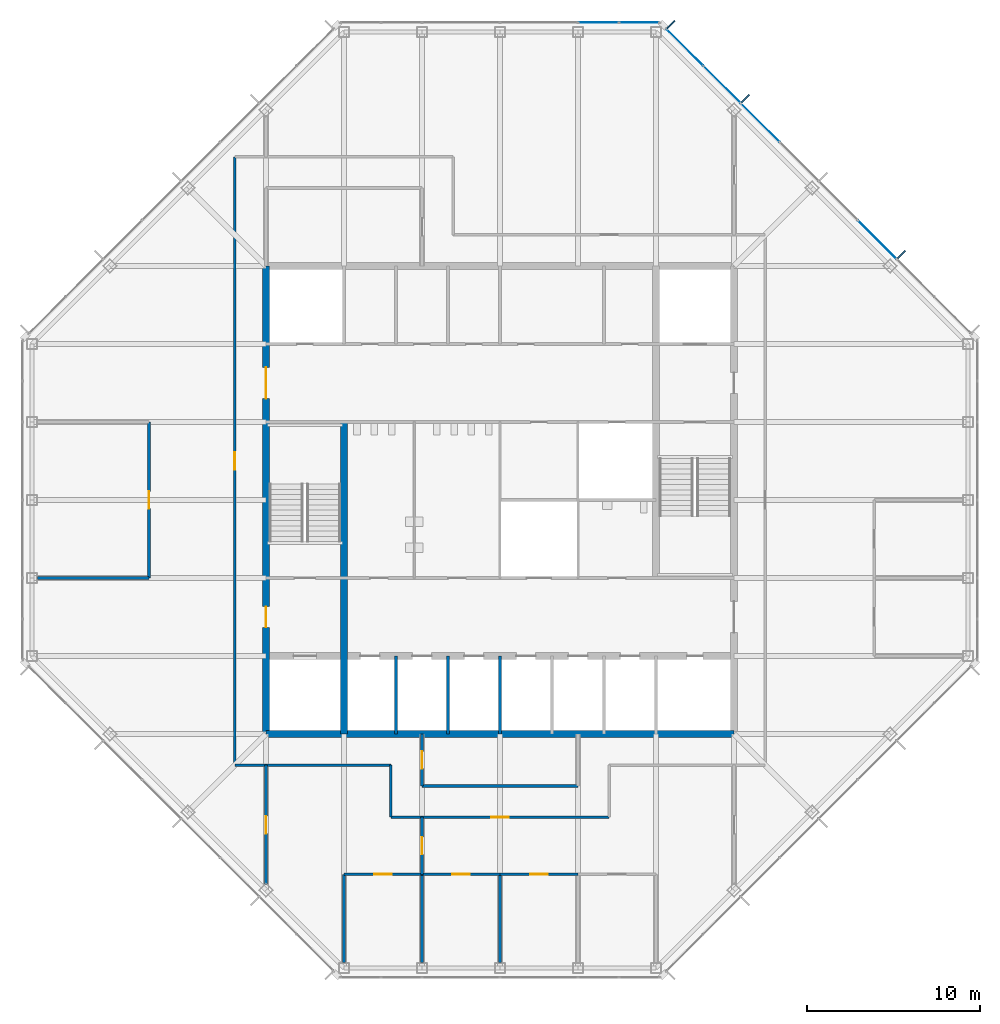
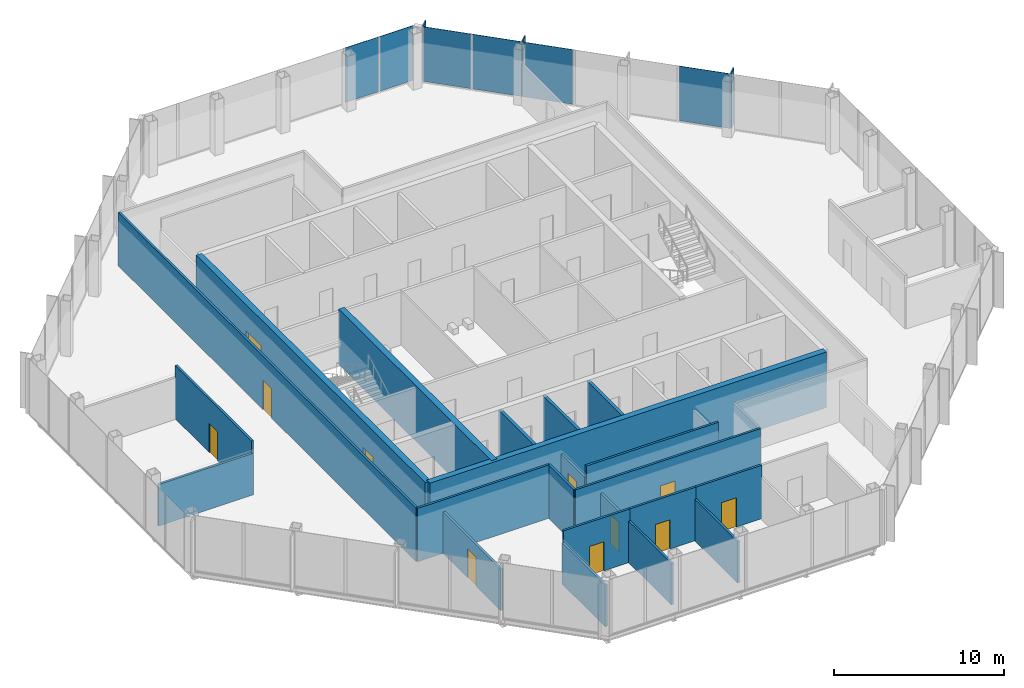
# One storey, part 9 of 13: 22 walls, 11 doors, 9 plates, 11 openings, 2 elements without a shape of their own.
"""IFC4 building model written with IfcOpenShell, lengths in metres."""

from ifc_helpers import new_model, si_unit, direction, frame, frame_2d, origin, origin_2d, place, context, subcontext, project, spatial, rectangle, extrude, material, layer, layer_set, type_object, element, fill, aggregate, save


model = new_model("IFC4")

# Units and contexts
model_context = context("Model", 3, precision=1e-05, world=origin(), true_north=direction((0.0, 1.0)))
body_context = subcontext(model_context, "Body", "Model", "MODEL_VIEW")
ifc_project = project(units=[si_unit("LENGTHUNIT", "METRE"), si_unit("AREAUNIT", "SQUARE_METRE"), si_unit("VOLUMEUNIT", "CUBIC_METRE"), si_unit("PLANEANGLEUNIT", "RADIAN"), si_unit("MASSUNIT", "GRAM", prefix="KILO")], contexts=[model_context])

# Site, building, storey
site_placement = place(None, origin())
site = spatial("IfcSite", under=ifc_project, at=site_placement, CompositionType="ELEMENT")
building_placement = place(site_placement, origin())
building = spatial("IfcBuilding", under=site, at=building_placement, Name="Corais Broadcast Tower", CompositionType="ELEMENT")
storey_placement = place(building_placement, frame((0.0, 0.0, 274.60009765625)))
storey = spatial("IfcBuildingStorey", under=building, at=storey_placement, Name="L64", CompositionType="ELEMENT", Elevation=274.60009765625)

# Curtain wall, plate
ifc_material_1 = material(Name="Aluminium and glass", Category="aluminium")
curtain_wall_type = type_object("IfcCurtainWallType", Name="Unitised fritted curtain wall CW3", PredefinedType="NOTDEFINED", material=ifc_material_1)
curtain_wall_1_placement = place(storey_placement, origin())
curtain_wall_1 = element("IfcCurtainWall", 1, at=curtain_wall_1_placement, inside=storey, type_object=curtain_wall_type, Name="CW3 curtain wall L64 4", PredefinedType="NOTDEFINED")
ifc_material_2 = material(Name="Ceramic-fritted laminated glass", Category="glass")
ifc_layer_1 = layer(ifc_material_2, 0.02587890625)
ifc_layer_set_1 = layer_set([ifc_layer_1], Name="Ceramic-fritted laminated glass")
plate_type_1 = type_object("IfcPlateType", Name="Fritted glass panel CW3", PredefinedType="CURTAIN_PANEL", material=ifc_layer_set_1)
plate_1_placement = place(storey_placement, frame((32.681884765625, 54.550048828125, 0.06494140625), z_axis=(0.0, 0.0, 1.0), x_axis=(1.0, 0.0, 0.0)))
plate_1 = element("IfcPlate", 2, at=plate_1_placement, type_object=plate_type_1, Name="CW3 panel 5", PredefinedType="CURTAIN_PANEL", context=body_context, shape_type="SweptSolid", body=[
    extrude(rectangle(XDim=2.298828125, YDim=0.02587890625, at=origin_2d()), origin(), (0.0, 0.0, 1.0), 3.93505859375),
])

# Curtain wall, plates
curtain_wall_2_placement = place(storey_placement, origin())
curtain_wall_2 = element("IfcCurtainWall", 3, at=curtain_wall_2_placement, inside=storey, type_object=curtain_wall_type, Name="CW3 curtain wall L64 5", PredefinedType="NOTDEFINED")
plate_2_placement = place(storey_placement, frame((37.669677734375, 53.108154296875, 0.06494140625), z_axis=(0.0, 0.0, 1.0), x_axis=(0.707106781187, -0.707106781187, 0.0)))
plate_2 = element("IfcPlate", 4, at=plate_2_placement, type_object=plate_type_1, Name="CW3 panel 1", PredefinedType="CURTAIN_PANEL", context=body_context, shape_type="SweptSolid", body=[
    extrude(rectangle(XDim=2.9482421875, YDim=0.02587890625, at=origin_2d()), origin(), (0.0, 0.0, 1.0), 3.93505859375),
])
plate_3_placement = place(storey_placement, frame((42.013916015625, 48.763916015625, 0.06494140625), z_axis=(0.0, 0.0, 1.0), x_axis=(0.707106781187, -0.707106781187, 0.0)))
plate_3 = element("IfcPlate", 5, at=plate_3_placement, type_object=plate_type_1, Name="CW3 panel 3", PredefinedType="CURTAIN_PANEL", context=body_context, shape_type="SweptSolid", body=[
    extrude(rectangle(XDim=3.116943359375, YDim=0.02587890625, at=origin_2d()), origin(), (0.0, 0.0, 1.0), 3.93505859375),
])

# Plate
ifc_material_3 = material(Name="Clear laminated glass", Category="glass")
ifc_layer_2 = layer(ifc_material_3, 0.030029296875)
ifc_layer_set_2 = layer_set([ifc_layer_2], Name="Clear laminated glass")
plate_type_2 = type_object("IfcPlateType", Name="Operable glass panel CW3", PredefinedType="CURTAIN_PANEL", material=ifc_layer_set_2)
plate_4_placement = place(storey_placement, frame((35.029541015625, 54.550048828125, 0.06494140625), z_axis=(0.0, 0.0, 1.0), x_axis=(1.0, 0.0, 0.0)))
plate_4 = element("IfcPlate", 6, at=plate_4_placement, type_object=plate_type_2, Name="CW3 operable panel 6", PredefinedType="CURTAIN_PANEL", context=body_context, shape_type="SweptSolid", body=[
    extrude(rectangle(XDim=2.266357421875, YDim=0.030029296875, at=origin_2d()), origin(), (0.0, 0.0, 1.0), 3.93505859375),
])

aggregate(curtain_wall_1, [plate_1, plate_4])

plate_5_placement = place(storey_placement, frame((39.81201171875, 50.9658203125, 0.06494140625), z_axis=(0.0, 0.0, 1.0), x_axis=(0.707106781187, -0.707106781187, 0.0)))
plate_5 = element("IfcPlate", 7, at=plate_5_placement, type_object=plate_type_2, Name="CW3 operable panel 2", PredefinedType="CURTAIN_PANEL", context=body_context, shape_type="SweptSolid", body=[
    extrude(rectangle(XDim=2.98095703125, YDim=0.030029296875, at=origin_2d()), origin(), (0.0, 0.0, 1.0), 3.93505859375),
])

plate_6_placement = place(storey_placement, frame((48.763916015625, 42.013916015625, 0.06494140625), z_axis=(0.0, 0.0, 1.0), x_axis=(0.707106781187, -0.707106781187, 0.0)))
plate_6 = element("IfcPlate", 8, at=plate_6_placement, type_object=plate_type_2, Name="CW3 operable panel 6", PredefinedType="CURTAIN_PANEL", context=body_context, shape_type="SweptSolid", body=[
    extrude(rectangle(XDim=3.116943359375, YDim=0.030029296875, at=origin_2d()), origin(), (0.0, 0.0, 1.0), 3.93505859375),
])

aggregate(curtain_wall_2, [plate_2, plate_5, plate_3, plate_6])

# Plates
ifc_material_4 = material(Name="Granite stone cladding", Category="masonry")
ifc_layer_3 = layer(ifc_material_4, 0.080078125)
ifc_layer_set_3 = layer_set([ifc_layer_3], Name="Granite stone cladding")
plate_type_3 = type_object("IfcPlateType", Name="Stone screen fin 80x600", PredefinedType="USERDEFINED", material=ifc_layer_set_3)
for number, where, z_axis, x_axis, name in (
    (9, (36.870849609375, 54.43994140625, 0.0), (0.0, 0.0, 1.0), (0.707106781187, -0.707106781187, 0.0), "SF1 stone screen fin L64"),
    (10, (41.155517578125, 50.155517578125, 0.0), (0.0, 0.0, 1.0), (0.707106781187, -0.707106781187, 0.0), "SF1 stone screen fin L64"),
    (11, (50.155517578125, 41.155517578125, 0.0), (0.0, 0.0, 1.0), (0.707106781187, -0.707106781187, 0.0), "SF1 stone screen fin L64"),
):
    element("IfcPlate", number, at=place(storey_placement, frame(where, z_axis=z_axis, x_axis=x_axis)), inside=storey, type_object=plate_type_3, Name=name, ObjectType="STONE SCREEN FIN", PredefinedType="USERDEFINED", context=body_context, shape_type="SweptSolid", body=[
        extrude(rectangle(XDim=0.080078125, YDim=0.60009765625, at=origin_2d()), origin(), (0.0, 0.0, 1.0), 4.0),
    ])

# Wall
ifc_material_5 = material(Name="Concrete C50/60", Category="concrete")
ifc_layer_4 = layer(ifc_material_5, 0.39990234375)
ifc_layer_set_4 = layer_set([ifc_layer_4], Name="Concrete C50/60")
wall_type_1 = type_object("IfcWallType", Name="Core wall 400", PredefinedType="SHEAR", material=ifc_layer_set_4)
wall_1_placement = place(storey_placement, frame((13.5, 13.5, 0.0), z_axis=(0.0, 0.0, 1.0), x_axis=(1.0, 0.0, 0.0)))
element("IfcWall", 12, at=wall_1_placement, inside=storey, type_object=wall_type_1, Name="CR400 core wall S L64", PredefinedType="SHEAR", context=body_context, shape_type="SweptSolid", body=[
    extrude(rectangle(XDim=27.0, YDim=0.39990234375, at=frame_2d((13.5, 0.0))), origin(), (0.0, 0.0, 1.0), 4.0),
])

# Wall, openings, doors
wall_2_placement = place(storey_placement, frame((13.5, 40.5, 0.0), z_axis=(0.0, 0.0, 1.0), x_axis=(0.0, -1.0, 0.0)))
wall_2 = element("IfcWall", 13, at=wall_2_placement, inside=storey, type_object=wall_type_1, Name="CR400 core wall W L64", PredefinedType="SHEAR", context=body_context, shape_type="SweptSolid", body=[
    extrude(rectangle(XDim=27.0, YDim=0.39990234375, at=frame_2d((13.5, 0.0))), origin(), (0.0, 0.0, 1.0), 4.0),
])
opening_1_placement = place(wall_2_placement, frame((19.64990234375, 0.0, 0.0)))
opening_1 = element("IfcOpeningElement", 14, at=opening_1_placement, cuts=wall_2, Name="Opening FD1", PredefinedType="OPENING", context=body_context, shape_type="SweptSolid", body=[
    extrude(rectangle(XDim=1.199951171875, YDim=2.10009765625, at=frame_2d((0.60009765625, 1.050048828125))), frame((0.0, 0.2099609375, 0.0), z_axis=(0.0, -1.0, 0.0), x_axis=(1.0, 0.0, 0.0)), (0.0, 0.0, 1.0), 0.419921875),
])
opening_2_placement = place(wall_2_placement, frame((5.85009765625, 0.0, 0.0)))
opening_2 = element("IfcOpeningElement", 15, at=opening_2_placement, cuts=wall_2, Name="Opening FD2", PredefinedType="OPENING", context=body_context, shape_type="SweptSolid", body=[
    extrude(rectangle(XDim=1.800048828125, YDim=2.10009765625, at=frame_2d((0.89990234375, 1.050048828125))), frame((0.0, 0.2099609375, 0.0), z_axis=(0.0, -1.0, 0.0), x_axis=(1.0, 0.0, 0.0)), (0.0, 0.0, 1.0), 0.419921875),
])
ifc_material_6 = material(Name="Steel fire door", Category="steel")
door_type_1 = type_object("IfcDoorType", Name="Fire door 1200x2100", OperationType="SINGLE_SWING_LEFT", PredefinedType="DOOR", material=ifc_material_6)
door_1_placement = place(opening_1_placement, origin())
door_1 = element("IfcDoor", 16, at=door_1_placement, inside=storey, type_object=door_type_1, Name="FD1 fire lobby A door L64", OperationType="SINGLE_SWING_RIGHT", OverallHeight=2.10009765625, OverallWidth=1.199951171875, PredefinedType="DOOR", context=body_context, shape_type="SweptSolid", body=[
    extrude(rectangle(XDim=1.199951171875, YDim=2.10009765625, at=frame_2d((0.60009765625, 1.050048828125))), frame((0.0, 0.02490234375, 0.0), z_axis=(0.0, -1.0, 0.0), x_axis=(1.0, 0.0, 0.0)), (0.0, 0.0, 1.0), 0.050048828125),
])
fill(opening_1, door_1)
ifc_material_7 = material(Name="Steel fire door", Category="steel")
door_type_2 = type_object("IfcDoorType", Name="Fire door pair 1800x2100", OperationType="DOUBLE_DOOR_SINGLE_SWING", PredefinedType="DOOR", material=ifc_material_7)
door_2_placement = place(opening_2_placement, origin())
door_2 = element("IfcDoor", 17, at=door_2_placement, inside=storey, type_object=door_type_2, Name="FD2 lift lobby door L64", OperationType="SINGLE_SWING_LEFT", OverallHeight=2.10009765625, OverallWidth=1.800048828125, PredefinedType="DOOR", context=body_context, shape_type="SweptSolid", body=[
    extrude(rectangle(XDim=1.800048828125, YDim=2.10009765625, at=frame_2d((0.89990234375, 1.050048828125))), frame((0.0, 0.02490234375, 0.0), z_axis=(0.0, -1.0, 0.0), x_axis=(1.0, 0.0, 0.0)), (0.0, 0.0, 1.0), 0.050048828125),
])
fill(opening_2, door_2)

# Wall
wall_3_placement = place(storey_placement, frame((18.0, 13.5, 0.0), z_axis=(0.0, 0.0, 1.0), x_axis=(0.0, 1.0, 0.0)))
element("IfcWall", 18, at=wall_3_placement, inside=storey, type_object=wall_type_1, Name="CR400 core wall X18A L64", PredefinedType="SHEAR", context=body_context, shape_type="SweptSolid", body=[
    extrude(rectangle(XDim=18.0, YDim=0.39990234375, at=frame_2d((9.0, 0.0))), origin(), (0.0, 0.0, 1.0), 4.0),
])

# Wall, opening, door
ifc_material_8 = material(Name="Gypsum board on steel studs", Category="steel")
ifc_layer_5 = layer(ifc_material_8, 0.14990234375)
ifc_layer_set_5 = layer_set([ifc_layer_5], Name="Gypsum board on steel studs")
wall_type_2 = type_object("IfcWallType", Name="Partition 150", PredefinedType="PARTITIONING", material=ifc_layer_set_5)
wall_4_placement = place(storey_placement, frame((11.699951171875, 46.800048828125, 0.0), z_axis=(0.0, 0.0, 1.0), x_axis=(0.0, -1.0, 0.0)))
wall_4 = element("IfcWall", 19, at=wall_4_placement, inside=storey, type_object=wall_type_2, Name="IW3 corridor wall L64", PredefinedType="PARTITIONING", context=body_context, shape_type="SweptSolid", body=[
    extrude(rectangle(XDim=35.10009765625, YDim=0.14990234375, at=frame_2d((17.550048828125, 0.0))), origin(), (0.0, 0.0, 1.0), 3.83984375),
])
opening_3_placement = place(wall_4_placement, frame((17.050048828125, 0.0, 0.0)))
opening_3 = element("IfcOpeningElement", 20, at=opening_3_placement, cuts=wall_4, Name="Opening D1", PredefinedType="OPENING", context=body_context, shape_type="SweptSolid", body=[
    extrude(rectangle(XDim=1.0, YDim=2.10009765625, at=frame_2d((0.5, 1.050048828125))), frame((0.0, 0.0849609375, 0.0), z_axis=(0.0, -1.0, 0.0), x_axis=(1.0, 0.0, 0.0)), (0.0, 0.0, 1.0), 0.169921875),
])
ifc_material_9 = material(Name="Timber door", Category="wood")
door_type_3 = type_object("IfcDoorType", Name="Single door 1000x2100", OperationType="SINGLE_SWING_LEFT", PredefinedType="DOOR", material=ifc_material_9)
door_3_placement = place(opening_3_placement, origin())
door_3 = element("IfcDoor", 21, at=door_3_placement, inside=storey, type_object=door_type_3, Name="D1 workplace door L64", OperationType="SINGLE_SWING_LEFT", OverallHeight=2.10009765625, OverallWidth=1.0, PredefinedType="DOOR", context=body_context, shape_type="SweptSolid", body=[
    extrude(rectangle(XDim=1.0, YDim=2.10009765625, at=frame_2d((0.5, 1.050048828125))), frame((0.0, 0.02490234375, 0.0), z_axis=(0.0, -1.0, 0.0), x_axis=(1.0, 0.0, 0.0)), (0.0, 0.0, 1.0), 0.050048828125),
])
fill(opening_3, door_3)

wall_5_placement = place(storey_placement, frame((20.699951171875, 8.699951171875, 0.0), z_axis=(0.0, 0.0, 1.0), x_axis=(1.0, 0.0, 0.0)))
wall_5 = element("IfcWall", 22, at=wall_5_placement, inside=storey, type_object=wall_type_2, Name="IW3 corridor wall L64", PredefinedType="PARTITIONING", context=body_context, shape_type="SweptSolid", body=[
    extrude(rectangle(XDim=12.60009765625, YDim=0.14990234375, at=frame_2d((6.300048828125, 0.0))), origin(), (0.0, 0.0, 1.0), 3.83984375),
])
opening_4_placement = place(wall_5_placement, frame((5.800048828125, 0.0, 0.0)))
opening_4 = element("IfcOpeningElement", 23, at=opening_4_placement, cuts=wall_5, Name="Opening D1", PredefinedType="OPENING", context=body_context, shape_type="SweptSolid", body=[
    extrude(rectangle(XDim=1.0, YDim=2.10009765625, at=frame_2d((0.5, 1.050048828125))), frame((0.0, 0.0849609375, 0.0), z_axis=(0.0, -1.0, 0.0), x_axis=(1.0, 0.0, 0.0)), (0.0, 0.0, 1.0), 0.169921875),
])
door_4_placement = place(opening_4_placement, origin())
door_4 = element("IfcDoor", 24, at=door_4_placement, inside=storey, type_object=door_type_3, Name="D1 workplace door L64", OperationType="SINGLE_SWING_LEFT", OverallHeight=2.10009765625, OverallWidth=1.0, PredefinedType="DOOR", context=body_context, shape_type="SweptSolid", body=[
    extrude(rectangle(XDim=1.0, YDim=2.10009765625, at=frame_2d((0.5, 1.050048828125))), frame((0.0, 0.02490234375, 0.0), z_axis=(0.0, -1.0, 0.0), x_axis=(1.0, 0.0, 0.0)), (0.0, 0.0, 1.0), 0.050048828125),
])
fill(opening_4, door_4)

# Walls
wall_6_placement = place(storey_placement, frame((11.699951171875, 11.699951171875, 0.0), z_axis=(0.0, 0.0, 1.0), x_axis=(1.0, 0.0, 0.0)))
element("IfcWall", 25, at=wall_6_placement, inside=storey, type_object=wall_type_2, Name="IW3 corridor wall L64", PredefinedType="PARTITIONING", context=body_context, shape_type="SweptSolid", body=[
    extrude(rectangle(XDim=9.0, YDim=0.14990234375, at=frame_2d((4.5, 0.0))), origin(), (0.0, 0.0, 1.0), 3.83984375),
])
wall_7_placement = place(storey_placement, frame((20.699951171875, 11.699951171875, 0.0), z_axis=(0.0, 0.0, 1.0), x_axis=(0.0, -1.0, 0.0)))
element("IfcWall", 26, at=wall_7_placement, inside=storey, type_object=wall_type_2, Name="IW3 corridor wall L64", PredefinedType="PARTITIONING", context=body_context, shape_type="SweptSolid", body=[
    extrude(rectangle(XDim=3.0, YDim=0.14990234375, at=frame_2d((1.5, 0.0))), origin(), (0.0, 0.0, 1.0), 3.83984375),
])
wall_8_placement = place(storey_placement, frame((0.31005859375, 22.5, 0.0), z_axis=(0.0, 0.0, 1.0), x_axis=(1.0, 0.0, 0.0)))
element("IfcWall", 27, at=wall_8_placement, inside=storey, type_object=wall_type_2, Name="IW3 partition L64", PredefinedType="PARTITIONING", context=body_context, shape_type="SweptSolid", body=[
    extrude(rectangle(XDim=6.43994140625, YDim=0.14990234375, at=frame_2d((3.219970703125, 0.0))), origin(), (0.0, 0.0, 1.0), 2.989013671875),
])

# Wall, opening, door
wall_9_placement = place(storey_placement, frame((6.75, 22.5, 0.0), z_axis=(0.0, 0.0, 1.0), x_axis=(0.0, 1.0, 0.0)))
wall_9 = element("IfcWall", 28, at=wall_9_placement, inside=storey, type_object=wall_type_2, Name="IW3 partition L64", PredefinedType="PARTITIONING", context=body_context, shape_type="SweptSolid", body=[
    extrude(rectangle(XDim=9.0, YDim=0.14990234375, at=frame_2d((4.5, 0.0))), origin(), (0.0, 0.0, 1.0), 3.83984375),
])
opening_5_placement = place(wall_9_placement, frame((4.0, 0.0, 0.0)))
opening_5 = element("IfcOpeningElement", 29, at=opening_5_placement, cuts=wall_9, Name="Opening D1", PredefinedType="OPENING", context=body_context, shape_type="SweptSolid", body=[
    extrude(rectangle(XDim=1.0, YDim=2.10009765625, at=frame_2d((0.5, 1.050048828125))), frame((0.0, 0.0849609375, 0.0), z_axis=(0.0, -1.0, 0.0), x_axis=(1.0, 0.0, 0.0)), (0.0, 0.0, 1.0), 0.169921875),
])
door_5_placement = place(opening_5_placement, origin())
door_5 = element("IfcDoor", 30, at=door_5_placement, inside=storey, type_object=door_type_3, Name="D1 Conference room door", OperationType="SINGLE_SWING_LEFT", OverallHeight=2.10009765625, OverallWidth=1.0, PredefinedType="DOOR", context=body_context, shape_type="SweptSolid", body=[
    extrude(rectangle(XDim=1.0, YDim=2.10009765625, at=frame_2d((0.5, 1.050048828125))), frame((0.0, 0.02490234375, 0.0), z_axis=(0.0, -1.0, 0.0), x_axis=(1.0, 0.0, 0.0)), (0.0, 0.0, 1.0), 0.050048828125),
])
fill(opening_5, door_5)

# Wall
wall_10_placement = place(storey_placement, frame((22.5, 10.5, 0.0), z_axis=(0.0, 0.0, 1.0), x_axis=(1.0, 0.0, 0.0)))
element("IfcWall", 31, at=wall_10_placement, inside=storey, type_object=wall_type_2, Name="IW3 partition L64", PredefinedType="PARTITIONING", context=body_context, shape_type="SweptSolid", body=[
    extrude(rectangle(XDim=9.0, YDim=0.14990234375, at=frame_2d((4.5, 0.0))), origin(), (0.0, 0.0, 1.0), 3.83984375),
])

# Wall, opening, door
wall_11_placement = place(storey_placement, frame((22.5, 13.5, 0.0), z_axis=(0.0, 0.0, 1.0), x_axis=(0.0, -1.0, 0.0)))
wall_11 = element("IfcWall", 32, at=wall_11_placement, inside=storey, type_object=wall_type_2, Name="IW3 partition L64", PredefinedType="PARTITIONING", context=body_context, shape_type="SweptSolid", body=[
    extrude(rectangle(XDim=3.0, YDim=0.14990234375, at=frame_2d((1.5, 0.0))), origin(), (0.0, 0.0, 1.0), 2.989013671875),
])
opening_6_placement = place(wall_11_placement, frame((1.0, 0.0, 0.0)))
opening_6 = element("IfcOpeningElement", 33, at=opening_6_placement, cuts=wall_11, Name="Opening D1", PredefinedType="OPENING", context=body_context, shape_type="SweptSolid", body=[
    extrude(rectangle(XDim=1.0, YDim=2.10009765625, at=frame_2d((0.5, 1.050048828125))), frame((0.0, 0.0849609375, 0.0), z_axis=(0.0, -1.0, 0.0), x_axis=(1.0, 0.0, 0.0)), (0.0, 0.0, 1.0), 0.169921875),
])
door_6_placement = place(opening_6_placement, origin())
door_6 = element("IfcDoor", 34, at=door_6_placement, inside=storey, type_object=door_type_3, Name="D1 Pantry door", OperationType="SINGLE_SWING_LEFT", OverallHeight=2.10009765625, OverallWidth=1.0, PredefinedType="DOOR", context=body_context, shape_type="SweptSolid", body=[
    extrude(rectangle(XDim=1.0, YDim=2.10009765625, at=frame_2d((0.5, 1.050048828125))), frame((0.0, 0.02490234375, 0.0), z_axis=(0.0, -1.0, 0.0), x_axis=(1.0, 0.0, 0.0)), (0.0, 0.0, 1.0), 0.050048828125),
])
fill(opening_6, door_6)

# Wall
wall_12_placement = place(storey_placement, frame((22.5, 0.31005859375, 0.0), z_axis=(0.0, 0.0, 1.0), x_axis=(0.0, 1.0, 0.0)))
element("IfcWall", 35, at=wall_12_placement, inside=storey, type_object=wall_type_2, Name="IW3 partition L64", PredefinedType="PARTITIONING", context=body_context, shape_type="SweptSolid", body=[
    extrude(rectangle(XDim=5.08984375, YDim=0.14990234375, at=frame_2d((2.544921875, 0.0))), origin(), (0.0, 0.0, 1.0), 2.989013671875),
])

# Wall, opening, door
wall_13_placement = place(storey_placement, frame((22.5, 5.39990234375, 0.0), z_axis=(0.0, 0.0, 1.0), x_axis=(-1.0, 0.0, 0.0)))
wall_13 = element("IfcWall", 36, at=wall_13_placement, inside=storey, type_object=wall_type_2, Name="IW3 partition L64", PredefinedType="PARTITIONING", context=body_context, shape_type="SweptSolid", body=[
    extrude(rectangle(XDim=4.5, YDim=0.14990234375, at=frame_2d((2.25, 0.0))), origin(), (0.0, 0.0, 1.0), 3.83984375),
])
opening_7_placement = place(wall_13_placement, frame((1.75, 0.0, 0.0)))
opening_7 = element("IfcOpeningElement", 37, at=opening_7_placement, cuts=wall_13, Name="Opening D1", PredefinedType="OPENING", context=body_context, shape_type="SweptSolid", body=[
    extrude(rectangle(XDim=1.0, YDim=2.10009765625, at=frame_2d((0.5, 1.050048828125))), frame((0.0, 0.0849609375, 0.0), z_axis=(0.0, -1.0, 0.0), x_axis=(1.0, 0.0, 0.0)), (0.0, 0.0, 1.0), 0.169921875),
])
door_7_placement = place(opening_7_placement, origin())
door_7 = element("IfcDoor", 38, at=door_7_placement, inside=storey, type_object=door_type_3, Name="D1 Analyst office door", OperationType="SINGLE_SWING_LEFT", OverallHeight=2.10009765625, OverallWidth=1.0, PredefinedType="DOOR", context=body_context, shape_type="SweptSolid", body=[
    extrude(rectangle(XDim=1.0, YDim=2.10009765625, at=frame_2d((0.5, 1.050048828125))), frame((0.0, 0.02490234375, 0.0), z_axis=(0.0, -1.0, 0.0), x_axis=(1.0, 0.0, 0.0)), (0.0, 0.0, 1.0), 0.050048828125),
])
fill(opening_7, door_7)

# Walls
for number, where, z_axis, x_axis, name in (
    (39, (18.0, 5.39990234375, 0.0), (0.0, 0.0, 1.0), (0.0, -1.0, 0.0), "IW3 partition L64"),
    (40, (27.0, 0.31005859375, 0.0), (0.0, 0.0, 1.0), (0.0, 1.0, 0.0), "IW3 partition L64"),
):
    element("IfcWall", number, at=place(storey_placement, frame(where, z_axis=z_axis, x_axis=x_axis)), inside=storey, type_object=wall_type_2, Name=name, PredefinedType="PARTITIONING", context=body_context, shape_type="SweptSolid", body=[
        extrude(rectangle(XDim=5.08984375, YDim=0.14990234375, at=frame_2d((2.544921875, 0.0))), origin(), (0.0, 0.0, 1.0), 2.989013671875),
    ])

# Wall, opening, door
wall_14_placement = place(storey_placement, frame((27.0, 5.39990234375, 0.0), z_axis=(0.0, 0.0, 1.0), x_axis=(-1.0, 0.0, 0.0)))
wall_14 = element("IfcWall", 41, at=wall_14_placement, inside=storey, type_object=wall_type_2, Name="IW3 partition L64", PredefinedType="PARTITIONING", context=body_context, shape_type="SweptSolid", body=[
    extrude(rectangle(XDim=4.5, YDim=0.14990234375, at=frame_2d((2.25, 0.0))), origin(), (0.0, 0.0, 1.0), 3.83984375),
])
opening_8_placement = place(wall_14_placement, frame((1.75, 0.0, 0.0)))
opening_8 = element("IfcOpeningElement", 42, at=opening_8_placement, cuts=wall_14, Name="Opening D1", PredefinedType="OPENING", context=body_context, shape_type="SweptSolid", body=[
    extrude(rectangle(XDim=1.0, YDim=2.10009765625, at=frame_2d((0.5, 1.050048828125))), frame((0.0, 0.0849609375, 0.0), z_axis=(0.0, -1.0, 0.0), x_axis=(1.0, 0.0, 0.0)), (0.0, 0.0, 1.0), 0.169921875),
])
door_8_placement = place(opening_8_placement, origin())
door_8 = element("IfcDoor", 43, at=door_8_placement, inside=storey, type_object=door_type_3, Name="D1 Analyst office door", OperationType="SINGLE_SWING_LEFT", OverallHeight=2.10009765625, OverallWidth=1.0, PredefinedType="DOOR", context=body_context, shape_type="SweptSolid", body=[
    extrude(rectangle(XDim=1.0, YDim=2.10009765625, at=frame_2d((0.5, 1.050048828125))), frame((0.0, 0.02490234375, 0.0), z_axis=(0.0, -1.0, 0.0), x_axis=(1.0, 0.0, 0.0)), (0.0, 0.0, 1.0), 0.050048828125),
])
fill(opening_8, door_8)

wall_15_placement = place(storey_placement, frame((31.5, 5.39990234375, 0.0), z_axis=(0.0, 0.0, 1.0), x_axis=(-1.0, 0.0, 0.0)))
wall_15 = element("IfcWall", 44, at=wall_15_placement, inside=storey, type_object=wall_type_2, Name="IW3 partition L64", PredefinedType="PARTITIONING", context=body_context, shape_type="SweptSolid", body=[
    extrude(rectangle(XDim=4.5, YDim=0.14990234375, at=frame_2d((2.25, 0.0))), origin(), (0.0, 0.0, 1.0), 3.83984375),
])
opening_9_placement = place(wall_15_placement, frame((1.75, 0.0, 0.0)))
opening_9 = element("IfcOpeningElement", 45, at=opening_9_placement, cuts=wall_15, Name="Opening D1", PredefinedType="OPENING", context=body_context, shape_type="SweptSolid", body=[
    extrude(rectangle(XDim=1.0, YDim=2.10009765625, at=frame_2d((0.5, 1.050048828125))), frame((0.0, 0.0849609375, 0.0), z_axis=(0.0, -1.0, 0.0), x_axis=(1.0, 0.0, 0.0)), (0.0, 0.0, 1.0), 0.169921875),
])
door_9_placement = place(opening_9_placement, origin())
door_9 = element("IfcDoor", 46, at=door_9_placement, inside=storey, type_object=door_type_3, Name="D1 Analyst office door", OperationType="SINGLE_SWING_LEFT", OverallHeight=2.10009765625, OverallWidth=1.0, PredefinedType="DOOR", context=body_context, shape_type="SweptSolid", body=[
    extrude(rectangle(XDim=1.0, YDim=2.10009765625, at=frame_2d((0.5, 1.050048828125))), frame((0.0, 0.02490234375, 0.0), z_axis=(0.0, -1.0, 0.0), x_axis=(1.0, 0.0, 0.0)), (0.0, 0.0, 1.0), 0.050048828125),
])
fill(opening_9, door_9)

wall_16_placement = place(storey_placement, frame((22.5, 5.39990234375, 0.0), z_axis=(0.0, 0.0, 1.0), x_axis=(0.0, 1.0, 0.0)))
wall_16 = element("IfcWall", 47, at=wall_16_placement, inside=storey, type_object=wall_type_2, Name="IW3 partition L64", PredefinedType="PARTITIONING", context=body_context, shape_type="SweptSolid", body=[
    extrude(rectangle(XDim=3.300048828125, YDim=0.14990234375, at=frame_2d((1.64990234375, 0.0))), origin(), (0.0, 0.0, 1.0), 2.989013671875),
])
opening_10_placement = place(wall_16_placement, frame((1.14990234375, 0.0, 0.0)))
opening_10 = element("IfcOpeningElement", 48, at=opening_10_placement, cuts=wall_16, Name="Opening D1", PredefinedType="OPENING", context=body_context, shape_type="SweptSolid", body=[
    extrude(rectangle(XDim=1.0, YDim=2.10009765625, at=frame_2d((0.5, 1.050048828125))), frame((0.0, 0.0849609375, 0.0), z_axis=(0.0, -1.0, 0.0), x_axis=(1.0, 0.0, 0.0)), (0.0, 0.0, 1.0), 0.169921875),
])
door_10_placement = place(opening_10_placement, origin())
door_10 = element("IfcDoor", 49, at=door_10_placement, inside=storey, type_object=door_type_3, Name="D1 team room door L64", OperationType="SINGLE_SWING_LEFT", OverallHeight=2.10009765625, OverallWidth=1.0, PredefinedType="DOOR", context=body_context, shape_type="SweptSolid", body=[
    extrude(rectangle(XDim=1.0, YDim=2.10009765625, at=frame_2d((0.5, 1.050048828125))), frame((0.0, 0.02490234375, 0.0), z_axis=(0.0, -1.0, 0.0), x_axis=(1.0, 0.0, 0.0)), (0.0, 0.0, 1.0), 0.050048828125),
])
fill(opening_10, door_10)

wall_17_placement = place(storey_placement, frame((13.5, 11.699951171875, 0.0), z_axis=(0.0, 0.0, 1.0), x_axis=(0.0, -1.0, 0.0)))
wall_17 = element("IfcWall", 50, at=wall_17_placement, inside=storey, type_object=wall_type_2, Name="IW3 partition L64", PredefinedType="PARTITIONING", context=body_context, shape_type="SweptSolid", body=[
    extrude(rectangle(XDim=6.8798828125, YDim=0.14990234375, at=frame_2d((3.43994140625, 0.0))), origin(), (0.0, 0.0, 1.0), 2.989013671875),
])
opening_11_placement = place(wall_17_placement, frame((2.93994140625, 0.0, 0.0)))
opening_11 = element("IfcOpeningElement", 51, at=opening_11_placement, cuts=wall_17, Name="Opening D1", PredefinedType="OPENING", context=body_context, shape_type="SweptSolid", body=[
    extrude(rectangle(XDim=1.0, YDim=2.10009765625, at=frame_2d((0.5, 1.050048828125))), frame((0.0, 0.0849609375, 0.0), z_axis=(0.0, -1.0, 0.0), x_axis=(1.0, 0.0, 0.0)), (0.0, 0.0, 1.0), 0.169921875),
])
door_11_placement = place(opening_11_placement, origin())
door_11 = element("IfcDoor", 52, at=door_11_placement, inside=storey, type_object=door_type_3, Name="D1 team room door L64", OperationType="SINGLE_SWING_LEFT", OverallHeight=2.10009765625, OverallWidth=1.0, PredefinedType="DOOR", context=body_context, shape_type="SweptSolid", body=[
    extrude(rectangle(XDim=1.0, YDim=2.10009765625, at=frame_2d((0.5, 1.050048828125))), frame((0.0, 0.02490234375, 0.0), z_axis=(0.0, -1.0, 0.0), x_axis=(1.0, 0.0, 0.0)), (0.0, 0.0, 1.0), 0.050048828125),
])
fill(opening_11, door_11)

# Walls
ifc_material_10 = material(Name="Concrete blockwork class A, grouted, two-hour", Category="masonry")
ifc_layer_6 = layer(ifc_material_10, 0.199951171875)
ifc_layer_set_6 = layer_set([ifc_layer_6], Name="Concrete blockwork class A, grouted, two-hour")
wall_type_3 = type_object("IfcWallType", Name="Shaft wall 200", PredefinedType="PARTITIONING", material=ifc_layer_set_6)
for number, where, z_axis, x_axis, name in (
    (53, (21.0, 13.5, 0.0), (0.0, 0.0, 1.0), (0.0, 1.0, 0.0), "IW1 shaft wall L64"),
    (54, (24.0, 13.5, 0.0), (0.0, 0.0, 1.0), (0.0, 1.0, 0.0), "IW1 shaft wall L64"),
    (55, (27.0, 13.5, 0.0), (0.0, 0.0, 1.0), (0.0, 1.0, 0.0), "IW1 shaft wall L64"),
):
    element("IfcWall", number, at=place(storey_placement, frame(where, z_axis=z_axis, x_axis=x_axis)), inside=storey, type_object=wall_type_3, Name=name, PredefinedType="PARTITIONING", context=body_context, shape_type="SweptSolid", body=[
        extrude(rectangle(XDim=4.5, YDim=0.199951171875, at=frame_2d((2.25, 0.0))), origin(), (0.0, 0.0, 1.0), 3.83984375),
    ])

save(model, "model.ifc")
